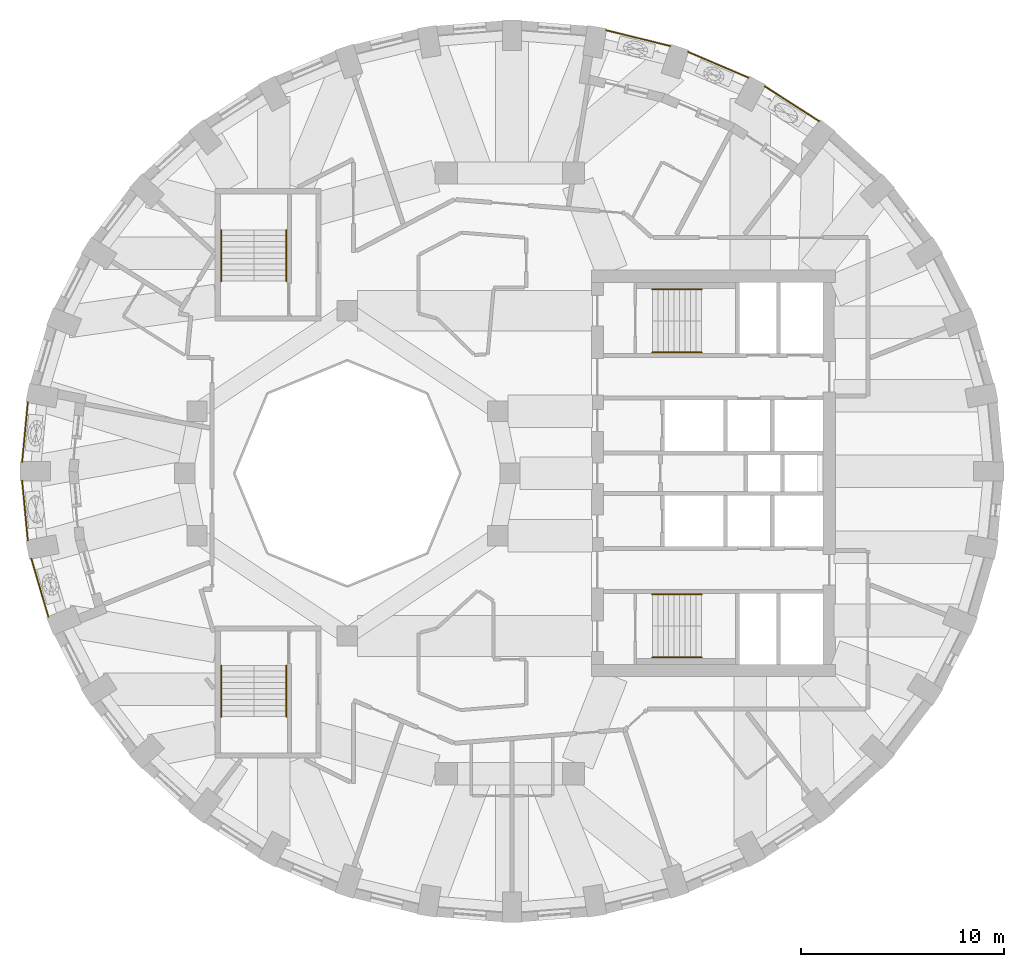
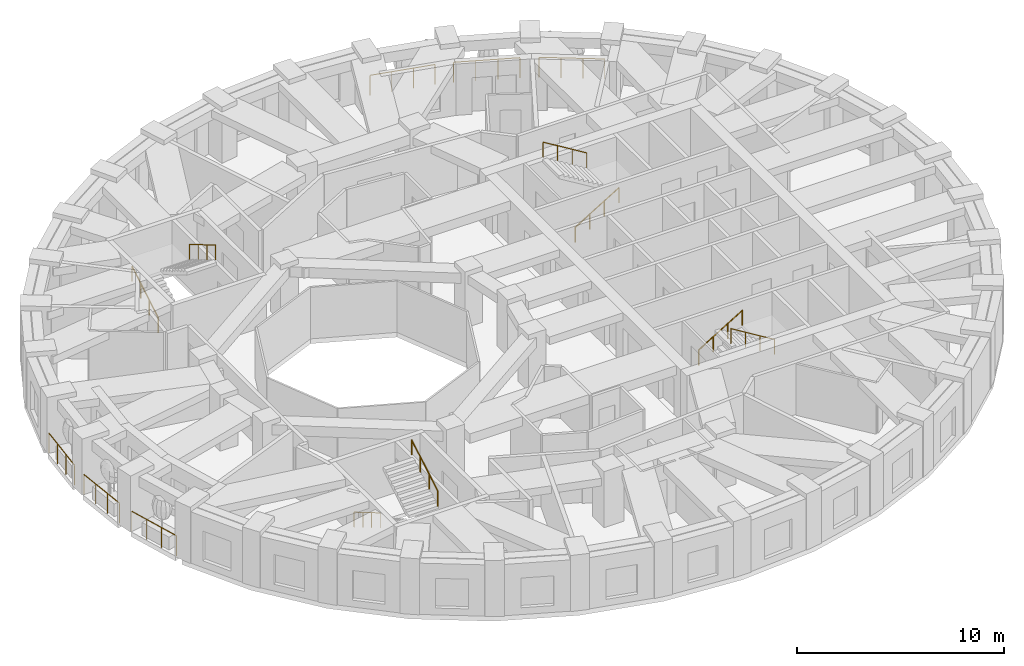
# One storey, part 10 of 12: 14 railings.
"""IFC4 building model written with IfcOpenShell, lengths in metres."""

from ifc_helpers import new_model, si_unit, direction, frame, origin, origin_2d, place, context, subcontext, project, spatial, circle, extrude, material, type_object, element, save


model = new_model("IFC4")

# Units and contexts
model_context = context("Model", 3, precision=1e-05, world=origin(), true_north=direction((0.0, 1.0)))
body_context = subcontext(model_context, "Body", "Model", "MODEL_VIEW")
ifc_project = project(units=[si_unit("LENGTHUNIT", "METRE"), si_unit("AREAUNIT", "SQUARE_METRE"), si_unit("VOLUMEUNIT", "CUBIC_METRE"), si_unit("PLANEANGLEUNIT", "RADIAN"), si_unit("MASSUNIT", "GRAM", prefix="KILO")], contexts=[model_context])

# Site, building, storey
site_placement = place(None, origin())
site = spatial("IfcSite", under=ifc_project, at=site_placement, CompositionType="ELEMENT")
building_placement = place(site_placement, origin())
building = spatial("IfcBuilding", under=site, at=building_placement, Name="Taillehof Tower", CompositionType="ELEMENT")
storey_placement = place(building_placement, frame((0.0, 0.0, 145.10009765625)))
storey = spatial("IfcBuildingStorey", under=building, at=storey_placement, Name="L40", CompositionType="ELEMENT", Elevation=145.10009765625)

# Railings
ifc_material_1 = material(Name="Stainless steel balustrade", Category="steel")
railing_type_1 = type_object("IfcRailingType", Name="Balcony guard 1200", PredefinedType="GUARDRAIL", material=ifc_material_1)
railing_1_placement = place(storey_placement, frame((-23.714599609375, 3.5, 0.0)))
element("IfcRailing", 1, at=railing_1_placement, inside=storey, type_object=railing_type_1, Name="Balcony guard L40 bay 18", PredefinedType="GUARDRAIL", context=body_context, shape_type="SweptSolid", body=[
    extrude(circle(Radius=0.02392578125, at=origin_2d()), frame((0.0, 0.0, 1.17578125), z_axis=(-0.095155707846, -0.995462400729, 0.0), x_axis=(0.995462400729, -0.095155707846, 0.0)), (0.0, 0.0, 1.0), 2.958251953125),
    extrude(circle(Radius=0.02099609375, at=origin_2d()), origin(), (0.0, 0.0, 1.0), 1.15185546875),
    extrude(circle(Radius=0.02099609375, at=origin_2d()), frame((-0.09375, -0.981689453125, 0.0)), (0.0, 0.0, 1.0), 1.15185546875),
    extrude(circle(Radius=0.02099609375, at=origin_2d()), frame((-0.187744140625, -1.963134765625, 0.0)), (0.0, 0.0, 1.0), 1.15185546875),
    extrude(circle(Radius=0.02099609375, at=origin_2d()), frame((-0.281494140625, -2.94482421875, 0.0)), (0.0, 0.0, 1.0), 1.15185546875),
])
railing_2_placement = place(storey_placement, frame((-23.99609375, -0.35498046875, 0.0)))
element("IfcRailing", 2, at=railing_2_placement, inside=storey, type_object=railing_type_1, Name="Balcony guard L40 bay 19", PredefinedType="GUARDRAIL", context=body_context, shape_type="SweptSolid", body=[
    extrude(circle(Radius=0.02392578125, at=origin_2d()), frame((0.0, 0.0, 1.17578125), z_axis=(0.095155707846, -0.995462400729, 0.0), x_axis=(0.995462400729, 0.095155707846, 0.0)), (0.0, 0.0, 1.0), 2.958251953125),
    extrude(circle(Radius=0.02099609375, at=origin_2d()), origin(), (0.0, 0.0, 1.0), 1.15185546875),
    extrude(circle(Radius=0.02099609375, at=origin_2d()), frame((0.09375, -0.981689453125, 0.0)), (0.0, 0.0, 1.0), 1.15185546875),
    extrude(circle(Radius=0.02099609375, at=origin_2d()), frame((0.187744140625, -1.963134765625, 0.0)), (0.0, 0.0, 1.0), 1.15185546875),
    extrude(circle(Radius=0.02099609375, at=origin_2d()), frame((0.281494140625, -2.94482421875, 0.0)), (0.0, 0.0, 1.0), 1.15185546875),
])
railing_3_placement = place(storey_placement, frame((-23.54248046875, -4.193603515625, 0.0)))
element("IfcRailing", 3, at=railing_3_placement, inside=storey, type_object=railing_type_1, Name="Balcony guard L40 bay 20", PredefinedType="GUARDRAIL", context=body_context, shape_type="SweptSolid", body=[
    extrude(circle(Radius=0.02392578125, at=origin_2d()), frame((0.0, 0.0, 1.17578125), z_axis=(0.281070006833, -0.959687267426, 0.0), x_axis=(0.959687267426, 0.281070006833, 0.0)), (0.0, 0.0, 1.0), 2.978515625),
    extrude(circle(Radius=0.02099609375, at=origin_2d()), origin(), (0.0, 0.0, 1.0), 1.15185546875),
    extrude(circle(Radius=0.02099609375, at=origin_2d()), frame((0.279052734375, -0.952880859375, 0.0)), (0.0, 0.0, 1.0), 1.15185546875),
    extrude(circle(Radius=0.02099609375, at=origin_2d()), frame((0.55810546875, -1.905517578125, 0.0)), (0.0, 0.0, 1.0), 1.15185546875),
    extrude(circle(Radius=0.02099609375, at=origin_2d()), frame((0.837158203125, -2.8583984375, 0.0)), (0.0, 0.0, 1.0), 1.15185546875),
])
railing_4_placement = place(storey_placement, frame((15.20947265625, 17.32470703125, 0.0)))
element("IfcRailing", 4, at=railing_4_placement, inside=storey, type_object=railing_type_1, Name="Balcony guard L40 bay 6", PredefinedType="GUARDRAIL", context=body_context, shape_type="SweptSolid", body=[
    extrude(circle(Radius=0.02392578125, at=origin_2d()), frame((0.0, 0.0, 1.17578125), z_axis=(-0.842048180821, 0.539402318475, 0.0), x_axis=(-0.539402318475, -0.842048180821, 0.0)), (0.0, 0.0, 1.0), 3.17919921875),
    extrude(circle(Radius=0.02099609375, at=origin_2d()), origin(), (0.0, 0.0, 1.0), 1.15185546875),
    extrude(circle(Radius=0.02099609375, at=origin_2d()), frame((-0.892333984375, 0.571533203125, 0.0)), (0.0, 0.0, 1.0), 1.15185546875),
    extrude(circle(Radius=0.02099609375, at=origin_2d()), frame((-1.78466796875, 1.143310546875, 0.0)), (0.0, 0.0, 1.0), 1.15185546875),
    extrude(circle(Radius=0.02099609375, at=origin_2d()), frame((-2.677001953125, 1.71484375, 0.0)), (0.0, 0.0, 1.0), 1.15185546875),
])
railing_5_placement = place(storey_placement, frame((11.727783203125, 19.465087890625, 0.0)))
element("IfcRailing", 5, at=railing_5_placement, inside=storey, type_object=railing_type_1, Name="Balcony guard L40 bay 7", PredefinedType="GUARDRAIL", context=body_context, shape_type="SweptSolid", body=[
    extrude(circle(Radius=0.02392578125, at=origin_2d()), frame((0.0, 0.0, 1.17578125), z_axis=(-0.919824392668, 0.39233032849, 0.0), x_axis=(-0.39233032849, -0.919824392668, 0.0)), (0.0, 0.0, 1.0), 3.227783203125),
    extrude(circle(Radius=0.02099609375, at=origin_2d()), origin(), (0.0, 0.0, 1.0), 1.15185546875),
    extrude(circle(Radius=0.02099609375, at=origin_2d()), frame((-0.98974609375, 0.422119140625, 0.0)), (0.0, 0.0, 1.0), 1.15185546875),
    extrude(circle(Radius=0.02099609375, at=origin_2d()), frame((-1.979248046875, 0.84423828125, 0.0)), (0.0, 0.0, 1.0), 1.15185546875),
    extrude(circle(Radius=0.02099609375, at=origin_2d()), frame((-2.968994140625, 1.266357421875, 0.0)), (0.0, 0.0, 1.0), 1.15185546875),
])
railing_6_placement = place(storey_placement, frame((7.895263671875, 21.019287109375, 0.0)))
element("IfcRailing", 6, at=railing_6_placement, inside=storey, type_object=railing_type_1, Name="Balcony guard L40 bay 8", PredefinedType="GUARDRAIL", context=body_context, shape_type="SweptSolid", body=[
    extrude(circle(Radius=0.02392578125, at=origin_2d()), frame((0.0, 0.0, 1.17578125), z_axis=(-0.971236963408, 0.238115016139, 0.0), x_axis=(-0.238115016139, -0.971236963408, 0.0)), (0.0, 0.0, 1.0), 3.263427734375),
    extrude(circle(Radius=0.02099609375, at=origin_2d()), origin(), (0.0, 0.0, 1.0), 1.15185546875),
    extrude(circle(Radius=0.02099609375, at=origin_2d()), frame((-1.056640625, 0.259033203125, 0.0)), (0.0, 0.0, 1.0), 1.15185546875),
    extrude(circle(Radius=0.02099609375, at=origin_2d()), frame((-2.113037109375, 0.51806640625, 0.0)), (0.0, 0.0, 1.0), 1.15185546875),
    extrude(circle(Radius=0.02099609375, at=origin_2d()), frame((-3.169677734375, 0.777099609375, 0.0)), (0.0, 0.0, 1.0), 1.15185546875),
])
ifc_material_2 = material(Name="Stainless steel", Category="steel")
railing_type_2 = type_object("IfcRailingType", Name="Stair handrail 900", PredefinedType="HANDRAIL", material=ifc_material_2)
railing_7_placement = place(storey_placement, frame((7.0, 5.949951171875, 0.164794921875)))
element("IfcRailing", 7, at=railing_7_placement, inside=storey, type_object=railing_type_2, Name="Stair S1 handrail", PredefinedType="HANDRAIL", context=body_context, shape_type="SweptSolid", body=[
    extrude(circle(Radius=0.02392578125, at=origin_2d()), frame((0.0, 0.0, 0.8759765625), z_axis=(0.853258522278, 0.0, 0.521488153423), x_axis=(0.0, 1.0, 0.0)), (0.0, 0.0, 1.0), 2.847900390625),
    extrude(circle(Radius=0.02099609375, at=origin_2d()), origin(), (0.0, 0.0, 1.0), 0.851806640625),
    extrude(circle(Radius=0.02099609375, at=origin_2d()), frame((0.81005859375, 0.0, 0.4951171875)), (0.0, 0.0, 1.0), 0.851806640625),
    extrude(circle(Radius=0.02099609375, at=origin_2d()), frame((1.619873046875, 0.0, 0.989990234375)), (0.0, 0.0, 1.0), 0.851806640625),
    extrude(circle(Radius=0.02099609375, at=origin_2d()), frame((2.429931640625, 0.0, 1.485107421875)), (0.0, 0.0, 1.0), 0.851806640625),
])
railing_8_placement = place(storey_placement, frame((9.429931640625, 9.050048828125, 1.81494140625)))
element("IfcRailing", 8, at=railing_8_placement, inside=storey, type_object=railing_type_2, Name="Stair S1 handrail", PredefinedType="HANDRAIL", context=body_context, shape_type="SweptSolid", body=[
    extrude(circle(Radius=0.02392578125, at=origin_2d()), frame((0.0, 0.0, 0.8759765625), z_axis=(-0.853296667938, 0.0, 0.521425734392), x_axis=(0.0, -1.0, 0.0)), (0.0, 0.0, 1.0), 2.84765625),
    extrude(circle(Radius=0.02099609375, at=origin_2d()), origin(), (0.0, 0.0, 1.0), 0.851806640625),
    extrude(circle(Radius=0.02099609375, at=origin_2d()), frame((-0.81005859375, 0.0, 0.494873046875)), (0.0, 0.0, 1.0), 0.851806640625),
    extrude(circle(Radius=0.02099609375, at=origin_2d()), frame((-1.619873046875, 0.0, 0.989990234375)), (0.0, 0.0, 1.0), 0.851806640625),
    extrude(circle(Radius=0.02099609375, at=origin_2d()), frame((-2.429931640625, 0.0, 1.48486328125)), (0.0, 0.0, 1.0), 0.851806640625),
])
railing_9_placement = place(storey_placement, frame((7.0, -5.949951171875, 0.164794921875)))
element("IfcRailing", 9, at=railing_9_placement, inside=storey, type_object=railing_type_2, Name="Stair S2 handrail", PredefinedType="HANDRAIL", context=body_context, shape_type="SweptSolid", body=[
    extrude(circle(Radius=0.02392578125, at=origin_2d()), frame((0.0, 0.0, 0.8759765625), z_axis=(0.853258522278, 0.0, 0.521488153423), x_axis=(0.0, 1.0, 0.0)), (0.0, 0.0, 1.0), 2.847900390625),
    extrude(circle(Radius=0.02099609375, at=origin_2d()), origin(), (0.0, 0.0, 1.0), 0.851806640625),
    extrude(circle(Radius=0.02099609375, at=origin_2d()), frame((0.81005859375, 0.0, 0.4951171875)), (0.0, 0.0, 1.0), 0.851806640625),
    extrude(circle(Radius=0.02099609375, at=origin_2d()), frame((1.619873046875, 0.0, 0.989990234375)), (0.0, 0.0, 1.0), 0.851806640625),
    extrude(circle(Radius=0.02099609375, at=origin_2d()), frame((2.429931640625, 0.0, 1.485107421875)), (0.0, 0.0, 1.0), 0.851806640625),
])
railing_10_placement = place(storey_placement, frame((9.429931640625, -9.050048828125, 1.81494140625)))
element("IfcRailing", 10, at=railing_10_placement, inside=storey, type_object=railing_type_2, Name="Stair S2 handrail", PredefinedType="HANDRAIL", context=body_context, shape_type="SweptSolid", body=[
    extrude(circle(Radius=0.02392578125, at=origin_2d()), frame((0.0, 0.0, 0.8759765625), z_axis=(-0.853296667938, 0.0, 0.521425734392), x_axis=(0.0, -1.0, 0.0)), (0.0, 0.0, 1.0), 2.84765625),
    extrude(circle(Radius=0.02099609375, at=origin_2d()), origin(), (0.0, 0.0, 1.0), 0.851806640625),
    extrude(circle(Radius=0.02099609375, at=origin_2d()), frame((-0.81005859375, 0.0, 0.494873046875)), (0.0, 0.0, 1.0), 0.851806640625),
    extrude(circle(Radius=0.02099609375, at=origin_2d()), frame((-1.619873046875, 0.0, 0.989990234375)), (0.0, 0.0, 1.0), 0.851806640625),
    extrude(circle(Radius=0.02099609375, at=origin_2d()), frame((-2.429931640625, 0.0, 1.48486328125)), (0.0, 0.0, 1.0), 0.851806640625),
])
railing_11_placement = place(storey_placement, frame((-14.199951171875, 9.449951171875, 0.164794921875)))
element("IfcRailing", 11, at=railing_11_placement, inside=storey, type_object=railing_type_2, Name="Stair S3 handrail", PredefinedType="HANDRAIL", context=body_context, shape_type="SweptSolid", body=[
    extrude(circle(Radius=0.02392578125, at=origin_2d()), frame((0.0, 0.0, 0.8759765625), z_axis=(0.0, 0.86152411907, 0.507716645641), x_axis=(-1.0, 0.0, 0.0)), (0.0, 0.0, 1.0), 2.925048828125),
    extrude(circle(Radius=0.02099609375, at=origin_2d()), origin(), (0.0, 0.0, 1.0), 0.851806640625),
    extrude(circle(Radius=0.02099609375, at=origin_2d()), frame((0.0, 0.840087890625, 0.4951171875)), (0.0, 0.0, 1.0), 0.851806640625),
    extrude(circle(Radius=0.02099609375, at=origin_2d()), frame((0.0, 1.679931640625, 0.989990234375)), (0.0, 0.0, 1.0), 0.851806640625),
    extrude(circle(Radius=0.02099609375, at=origin_2d()), frame((0.0, 2.52001953125, 1.485107421875)), (0.0, 0.0, 1.0), 0.851806640625),
])
railing_12_placement = place(storey_placement, frame((-11.0, 11.969970703125, 1.81494140625)))
element("IfcRailing", 12, at=railing_12_placement, inside=storey, type_object=railing_type_2, Name="Stair S3 handrail", PredefinedType="HANDRAIL", context=body_context, shape_type="SweptSolid", body=[
    extrude(circle(Radius=0.02392578125, at=origin_2d()), frame((0.0, 0.0, 0.8759765625), z_axis=(0.0, -0.861560626758, 0.507654692109), x_axis=(1.0, 0.0, 0.0)), (0.0, 0.0, 1.0), 2.925048828125),
    extrude(circle(Radius=0.02099609375, at=origin_2d()), origin(), (0.0, 0.0, 1.0), 0.851806640625),
    extrude(circle(Radius=0.02099609375, at=origin_2d()), frame((0.0, -0.840087890625, 0.494873046875)), (0.0, 0.0, 1.0), 0.851806640625),
    extrude(circle(Radius=0.02099609375, at=origin_2d()), frame((0.0, -1.679931640625, 0.989990234375)), (0.0, 0.0, 1.0), 0.851806640625),
    extrude(circle(Radius=0.02099609375, at=origin_2d()), frame((0.0, -2.52001953125, 1.48486328125)), (0.0, 0.0, 1.0), 0.851806640625),
])
railing_13_placement = place(storey_placement, frame((-14.199951171875, -9.449951171875, 0.164794921875)))
element("IfcRailing", 13, at=railing_13_placement, inside=storey, type_object=railing_type_2, Name="Stair S4 handrail", PredefinedType="HANDRAIL", context=body_context, shape_type="SweptSolid", body=[
    extrude(circle(Radius=0.02392578125, at=origin_2d()), frame((0.0, 0.0, 0.8759765625), z_axis=(0.0, -0.86152411907, 0.507716645641), x_axis=(1.0, 0.0, 0.0)), (0.0, 0.0, 1.0), 2.925048828125),
    extrude(circle(Radius=0.02099609375, at=origin_2d()), origin(), (0.0, 0.0, 1.0), 0.851806640625),
    extrude(circle(Radius=0.02099609375, at=origin_2d()), frame((0.0, -0.840087890625, 0.4951171875)), (0.0, 0.0, 1.0), 0.851806640625),
    extrude(circle(Radius=0.02099609375, at=origin_2d()), frame((0.0, -1.679931640625, 0.989990234375)), (0.0, 0.0, 1.0), 0.851806640625),
    extrude(circle(Radius=0.02099609375, at=origin_2d()), frame((0.0, -2.52001953125, 1.485107421875)), (0.0, 0.0, 1.0), 0.851806640625),
])
railing_14_placement = place(storey_placement, frame((-11.0, -11.969970703125, 1.81494140625)))
element("IfcRailing", 14, at=railing_14_placement, inside=storey, type_object=railing_type_2, Name="Stair S4 handrail", PredefinedType="HANDRAIL", context=body_context, shape_type="SweptSolid", body=[
    extrude(circle(Radius=0.02392578125, at=origin_2d()), frame((0.0, 0.0, 0.8759765625), z_axis=(0.0, 0.861560626758, 0.507654692109), x_axis=(-1.0, 0.0, 0.0)), (0.0, 0.0, 1.0), 2.925048828125),
    extrude(circle(Radius=0.02099609375, at=origin_2d()), origin(), (0.0, 0.0, 1.0), 0.851806640625),
    extrude(circle(Radius=0.02099609375, at=origin_2d()), frame((0.0, 0.840087890625, 0.494873046875)), (0.0, 0.0, 1.0), 0.851806640625),
    extrude(circle(Radius=0.02099609375, at=origin_2d()), frame((0.0, 1.679931640625, 0.989990234375)), (0.0, 0.0, 1.0), 0.851806640625),
    extrude(circle(Radius=0.02099609375, at=origin_2d()), frame((0.0, 2.52001953125, 1.48486328125)), (0.0, 0.0, 1.0), 0.851806640625),
])

save(model, "model.ifc")
